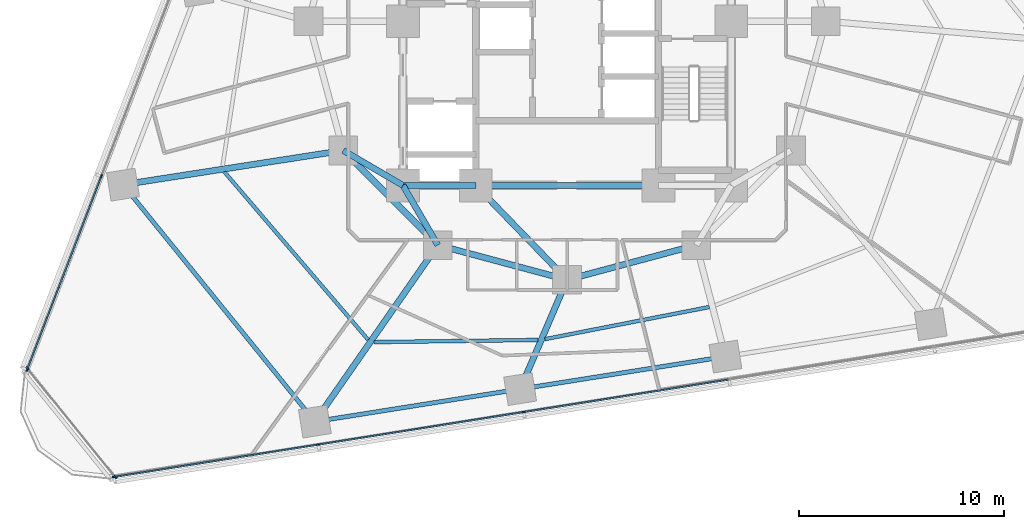
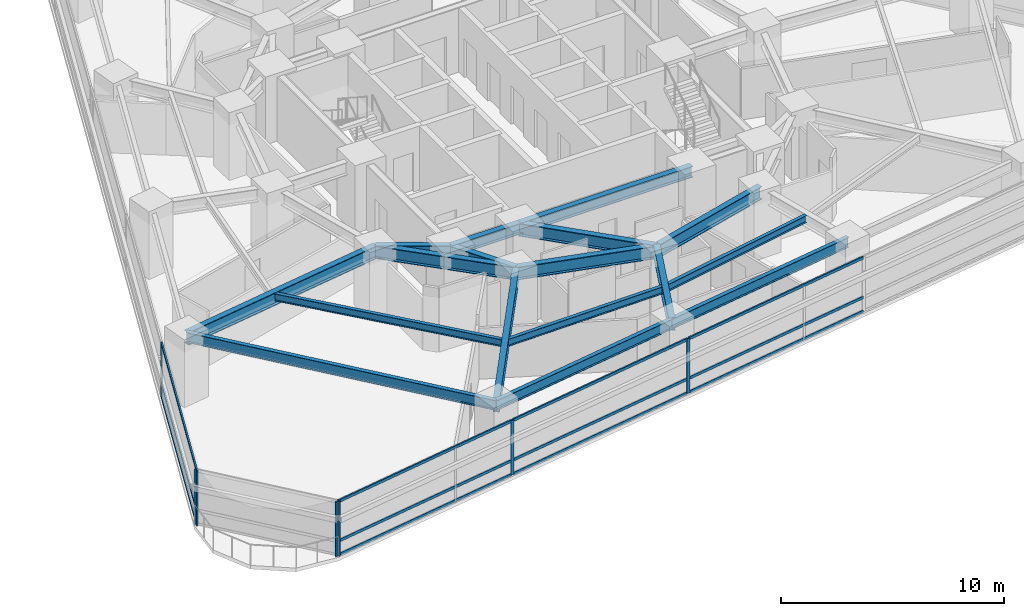
# One storey, part 2 of 13: 19 members, 17 beams, 3 elements without a shape of their own.
"""IFC4 building model written with IfcOpenShell, lengths in metres."""

from ifc_helpers import new_model, si_unit, direction, frame, origin, origin_2d, place, context, subcontext, project, spatial, rectangle, i_section, extrude, material, layer, layer_set, material_profile, profile_set, type_object, element, aggregate, save


model = new_model("IFC4")

# Units and contexts
model_context = context("Model", 3, precision=1e-05, world=origin(), true_north=direction((0.0, 1.0)))
body_context = subcontext(model_context, "Body", "Model", "MODEL_VIEW")
ifc_project = project(units=[si_unit("LENGTHUNIT", "METRE"), si_unit("AREAUNIT", "SQUARE_METRE"), si_unit("VOLUMEUNIT", "CUBIC_METRE"), si_unit("PLANEANGLEUNIT", "RADIAN"), si_unit("MASSUNIT", "GRAM", prefix="KILO")], contexts=[model_context])

# Site, building, storey
site_placement = place(None, origin())
site = spatial("IfcSite", under=ifc_project, at=site_placement, CompositionType="ELEMENT")
building_placement = place(site_placement, origin())
building = spatial("IfcBuilding", under=site, at=building_placement, Name="Terralouvre Media Tower", CompositionType="ELEMENT")
storey_placement = place(building_placement, frame((0.0, 0.0, 55.60009765625)))
storey = spatial("IfcBuildingStorey", under=building, at=storey_placement, Name="L13", CompositionType="ELEMENT", Elevation=55.60009765625)

# Beams
ifc_material_1 = material(Name="Structural steel S355J2", Category="steel")
ifc_material_profile_1 = material_profile(ifc_material_1, i_section(OverallWidth=0.179931640625, OverallDepth=0.39990234375, WebThickness=0.008544921875, FlangeThickness=0.013427734375, at=origin_2d()), Name="IPE 400")
ifc_profile_set_1 = profile_set([ifc_material_profile_1], Name="Structural steel S355J2")
beam_type_1 = type_object("IfcBeamType", Name="Composite Floor Joist J-IPE400 (IPE 400)", PredefinedType="JOIST", material=ifc_profile_set_1)
beam_1_placement = place(storey_placement, frame((-16.69921875, -7.3486328125, 3.2998046875), z_axis=(0.650576599138, -0.759440641955, 0.0), x_axis=(0.759440641955, 0.650576599138, 0.0)))
element("IfcBeam", 1, at=beam_1_placement, inside=storey, type_object=beam_type_1, Name="L13 Framing Beam JT-L13-01", PredefinedType="JOIST", context=body_context, shape_type="SweptSolid", body=[
    extrude(i_section(OverallWidth=0.179931640625, OverallDepth=0.39990234375, WebThickness=0.008544921875, FlangeThickness=0.013427734375, at=origin_2d()), origin(), (0.0, 0.0, 1.0), 10.766845703125),
])
beam_2_placement = place(storey_placement, frame((-9.41259765625, -15.63916015625, 3.2998046875), z_axis=(0.999910093881, 0.013409107136, 0.0), x_axis=(-0.013409107136, 0.999910093881, 0.0)))
element("IfcBeam", 2, at=beam_2_placement, inside=storey, type_object=beam_type_1, Name="L13 Framing Beam JT-L13-02", PredefinedType="JOIST", context=body_context, shape_type="SweptSolid", body=[
    extrude(i_section(OverallWidth=0.179931640625, OverallDepth=0.39990234375, WebThickness=0.008544921875, FlangeThickness=0.013427734375, at=origin_2d()), origin(), (0.0, 0.0, 1.0), 7.992919921875),
])
beam_3_placement = place(storey_placement, frame((-1.08203125, -15.495361328125, 3.2998046875), z_axis=(0.981397676367, 0.191985939127, 0.0), x_axis=(-0.191985939127, 0.981397676367, 0.0)))
element("IfcBeam", 3, at=beam_3_placement, inside=storey, type_object=beam_type_1, Name="L13 Framing Beam JT-L13-03", PredefinedType="JOIST", context=body_context, shape_type="SweptSolid", body=[
    extrude(i_section(OverallWidth=0.179931640625, OverallDepth=0.39990234375, WebThickness=0.008544921875, FlangeThickness=0.013427734375, at=origin_2d()), origin(), (0.0, 0.0, 1.0), 8.165283203125),
])

# Curtain wall, members
ifc_material_2 = material(Name="Low-iron laminated double glazing with solar-control coating", Category="glass")
ifc_layer_1 = layer(ifc_material_2, 0.1650390625, Name="Lower Media Tower Unitised Curtain Wall CW-02")
ifc_layer_set_1 = layer_set([ifc_layer_1], Name="Low-iron laminated double glazing with solar-control coating")
curtain_wall_type_1 = type_object("IfcCurtainWallType", Name="Lower Media Tower Unitised Curtain Wall CW-02", PredefinedType="NOTDEFINED", material=ifc_layer_set_1)
curtain_wall_1_placement = place(storey_placement, origin())
curtain_wall_1 = element("IfcCurtainWall", 4, at=curtain_wall_1_placement, inside=storey, type_object=curtain_wall_type_1, Name="L13 Facade Curtain Wall F0", PredefinedType="NOTDEFINED")
ifc_material_3 = material(Name="Anodised extruded aluminium 6063-T6", Category="aluminium")
ifc_material_profile_2 = material_profile(ifc_material_3, rectangle(XDim=0.074951171875, YDim=0.14990234375, at=origin_2d()), Name="ALU 75x150")
ifc_profile_set_2 = profile_set([ifc_material_profile_2], Name="Anodised extruded aluminium 6063-T6")
member_type_1 = type_object("IfcMemberType", Name="Curtain-Wall Horizontal Transom TR-150", PredefinedType="USERDEFINED", material=ifc_profile_set_2)
member_1_placement = place(storey_placement, frame((-22.04345703125, -22.2001953125, 0.037353515625), z_axis=(0.987689925264, 0.15642445951, 0.0), x_axis=(-0.15642445951, 0.987689925264, 0.0)))
member_1 = element("IfcMember", 5, at=member_1_placement, type_object=member_type_1, Name="CW-02 transom 1.1", ObjectType="TRANSOM", PredefinedType="USERDEFINED", context=body_context, shape_type="SweptSolid", body=[
    extrude(rectangle(XDim=0.074951171875, YDim=0.14990234375, at=origin_2d()), origin(), (0.0, 0.0, 1.0), 10.015380859375),
])
member_2_placement = place(storey_placement, frame((-22.04345703125, -22.2001953125, 0.7998046875), z_axis=(0.987689925264, 0.15642445951, 0.0), x_axis=(-0.15642445951, 0.987689925264, 0.0)))
member_2 = element("IfcMember", 6, at=member_2_placement, type_object=member_type_1, Name="CW-02 transom 1.2", ObjectType="TRANSOM", PredefinedType="USERDEFINED", context=body_context, shape_type="SweptSolid", body=[
    extrude(rectangle(XDim=0.074951171875, YDim=0.14990234375, at=origin_2d()), origin(), (0.0, 0.0, 1.0), 10.015380859375),
])
member_3_placement = place(storey_placement, frame((-22.04345703125, -22.2001953125, 2.96240234375), z_axis=(0.987689925264, 0.15642445951, 0.0), x_axis=(-0.15642445951, 0.987689925264, 0.0)))
member_3 = element("IfcMember", 7, at=member_3_placement, type_object=member_type_1, Name="CW-02 transom 1.3", ObjectType="TRANSOM", PredefinedType="USERDEFINED", context=body_context, shape_type="SweptSolid", body=[
    extrude(rectangle(XDim=0.074951171875, YDim=0.14990234375, at=origin_2d()), origin(), (0.0, 0.0, 1.0), 10.015380859375),
])
member_4_placement = place(storey_placement, frame((-12.0771484375, -20.62158203125, 0.037353515625), z_axis=(0.987690198625, 0.156422733448, 0.0), x_axis=(-0.156422733448, 0.987690198625, 0.0)))
member_4 = element("IfcMember", 8, at=member_4_placement, type_object=member_type_1, Name="CW-02 transom 2.1", ObjectType="TRANSOM", PredefinedType="USERDEFINED", context=body_context, shape_type="SweptSolid", body=[
    extrude(rectangle(XDim=0.074951171875, YDim=0.14990234375, at=origin_2d()), origin(), (0.0, 0.0, 1.0), 10.052978515625),
])
member_5_placement = place(storey_placement, frame((-12.0771484375, -20.62158203125, 0.7998046875), z_axis=(0.987690198625, 0.156422733448, 0.0), x_axis=(-0.156422733448, 0.987690198625, 0.0)))
member_5 = element("IfcMember", 9, at=member_5_placement, type_object=member_type_1, Name="CW-02 transom 2.2", ObjectType="TRANSOM", PredefinedType="USERDEFINED", context=body_context, shape_type="SweptSolid", body=[
    extrude(rectangle(XDim=0.074951171875, YDim=0.14990234375, at=origin_2d()), origin(), (0.0, 0.0, 1.0), 10.052978515625),
])
member_6_placement = place(storey_placement, frame((-12.0771484375, -20.62158203125, 2.96240234375), z_axis=(0.987690198625, 0.156422733448, 0.0), x_axis=(-0.156422733448, 0.987690198625, 0.0)))
member_6 = element("IfcMember", 10, at=member_6_placement, type_object=member_type_1, Name="CW-02 transom 2.3", ObjectType="TRANSOM", PredefinedType="USERDEFINED", context=body_context, shape_type="SweptSolid", body=[
    extrude(rectangle(XDim=0.074951171875, YDim=0.14990234375, at=origin_2d()), origin(), (0.0, 0.0, 1.0), 10.052978515625),
])
member_7_placement = place(storey_placement, frame((-2.073974609375, -19.037353515625, 0.037353515625), z_axis=(0.987686446318, 0.156446424568, 0.0), x_axis=(-0.156446424568, 0.987686446318, 0.0)))
member_7 = element("IfcMember", 11, at=member_7_placement, type_object=member_type_1, Name="CW-02 transom 3.1", ObjectType="TRANSOM", PredefinedType="USERDEFINED", context=body_context, shape_type="SweptSolid", body=[
    extrude(rectangle(XDim=0.074951171875, YDim=0.14990234375, at=origin_2d()), origin(), (0.0, 0.0, 1.0), 10.052978515625),
])
member_8_placement = place(storey_placement, frame((-2.073974609375, -19.037353515625, 0.7998046875), z_axis=(0.987686446318, 0.156446424568, 0.0), x_axis=(-0.156446424568, 0.987686446318, 0.0)))
member_8 = element("IfcMember", 12, at=member_8_placement, type_object=member_type_1, Name="CW-02 transom 3.2", ObjectType="TRANSOM", PredefinedType="USERDEFINED", context=body_context, shape_type="SweptSolid", body=[
    extrude(rectangle(XDim=0.074951171875, YDim=0.14990234375, at=origin_2d()), origin(), (0.0, 0.0, 1.0), 10.052978515625),
])
member_9_placement = place(storey_placement, frame((-2.073974609375, -19.037353515625, 2.96240234375), z_axis=(0.987686446318, 0.156446424568, 0.0), x_axis=(-0.156446424568, 0.987686446318, 0.0)))
member_9 = element("IfcMember", 13, at=member_9_placement, type_object=member_type_1, Name="CW-02 transom 3.3", ObjectType="TRANSOM", PredefinedType="USERDEFINED", context=body_context, shape_type="SweptSolid", body=[
    extrude(rectangle(XDim=0.074951171875, YDim=0.14990234375, at=origin_2d()), origin(), (0.0, 0.0, 1.0), 10.052978515625),
])

curtain_wall_2_placement = place(storey_placement, origin())
curtain_wall_2 = element("IfcCurtainWall", 14, at=curtain_wall_2_placement, inside=storey, type_object=curtain_wall_type_1, Name="L13 Facade Curtain Wall F2", PredefinedType="NOTDEFINED")
member_10_placement = place(storey_placement, frame((-22.708984375, -7.595947265625, 0.037353515625), z_axis=(-0.358363173116, -0.933582259983, 0.0), x_axis=(0.933582259983, -0.358363173116, 0.0)))
member_10 = element("IfcMember", 15, at=member_10_placement, type_object=member_type_1, Name="CW-02 transom 5.1", ObjectType="TRANSOM", PredefinedType="USERDEFINED", context=body_context, shape_type="SweptSolid", body=[
    extrude(rectangle(XDim=0.074951171875, YDim=0.14990234375, at=origin_2d()), origin(), (0.0, 0.0, 1.0), 10.015380859375),
])
member_11_placement = place(storey_placement, frame((-22.708984375, -7.595947265625, 0.7998046875), z_axis=(-0.358363173116, -0.933582259983, 0.0), x_axis=(0.933582259983, -0.358363173116, 0.0)))
member_11 = element("IfcMember", 16, at=member_11_placement, type_object=member_type_1, Name="CW-02 transom 5.2", ObjectType="TRANSOM", PredefinedType="USERDEFINED", context=body_context, shape_type="SweptSolid", body=[
    extrude(rectangle(XDim=0.074951171875, YDim=0.14990234375, at=origin_2d()), origin(), (0.0, 0.0, 1.0), 10.015380859375),
])
member_12_placement = place(storey_placement, frame((-22.708984375, -7.595947265625, 2.96240234375), z_axis=(-0.358363173116, -0.933582259983, 0.0), x_axis=(0.933582259983, -0.358363173116, 0.0)))
member_12 = element("IfcMember", 17, at=member_12_placement, type_object=member_type_1, Name="CW-02 transom 5.3", ObjectType="TRANSOM", PredefinedType="USERDEFINED", context=body_context, shape_type="SweptSolid", body=[
    extrude(rectangle(XDim=0.074951171875, YDim=0.14990234375, at=origin_2d()), origin(), (0.0, 0.0, 1.0), 10.015380859375),
])

# Member
ifc_material_4 = material(Name="Anodised extruded aluminium 6063-T6", Category="aluminium")
ifc_material_profile_3 = material_profile(ifc_material_4, rectangle(XDim=0.074951171875, YDim=0.179931640625, at=origin_2d()), Name="ALU 75x180")
ifc_profile_set_3 = profile_set([ifc_material_profile_3], Name="Anodised extruded aluminium 6063-T6")
member_type_2 = type_object("IfcMemberType", Name="Curtain-Wall Vertical Mullion ML-180", PredefinedType="MULLION", material=ifc_profile_set_3)
member_13_placement = place(storey_placement, frame((-22.08056640625, -22.2060546875, 0.0), z_axis=(0.0, 0.0, 1.0), x_axis=(-0.156434462903, 0.987688340934, 0.0)))
member_13 = element("IfcMember", 18, at=member_13_placement, type_object=member_type_2, Name="CW-02 mullion 1", PredefinedType="MULLION", context=body_context, shape_type="SweptSolid", body=[
    extrude(rectangle(XDim=0.074951171875, YDim=0.179931640625, at=origin_2d()), origin(), (0.0, 0.0, 1.0), 3.0),
])

member_14_placement = place(storey_placement, frame((-12.1142578125, -20.62744140625, 0.0), z_axis=(0.0, 0.0, 1.0), x_axis=(-0.156434462903, 0.987688340934, 0.0)))
member_14 = element("IfcMember", 19, at=member_14_placement, type_object=member_type_2, Name="CW-02 mullion 2", PredefinedType="MULLION", context=body_context, shape_type="SweptSolid", body=[
    extrude(rectangle(XDim=0.074951171875, YDim=0.179931640625, at=origin_2d()), origin(), (0.0, 0.0, 1.0), 3.0),
])

member_15_placement = place(storey_placement, frame((-2.111083984375, -19.043212890625, 0.0), z_axis=(0.0, 0.0, 1.0), x_axis=(-0.156434462903, 0.987688340934, 0.0)))
member_15 = element("IfcMember", 20, at=member_15_placement, type_object=member_type_2, Name="CW-02 mullion 3", PredefinedType="MULLION", context=body_context, shape_type="SweptSolid", body=[
    extrude(rectangle(XDim=0.074951171875, YDim=0.179931640625, at=origin_2d()), origin(), (0.0, 0.0, 1.0), 3.0),
])

aggregate(curtain_wall_1, [member_13, member_14, member_15, member_1, member_2, member_3, member_4, member_5, member_6, member_7, member_8, member_9])

member_16_placement = place(storey_placement, frame((-22.695556640625, -7.560791015625, 0.0), z_axis=(0.0, 0.0, 1.0), x_axis=(0.933580438988, -0.358367917006, 0.0)))
member_16 = element("IfcMember", 21, at=member_16_placement, type_object=member_type_2, Name="CW-02 mullion 5", PredefinedType="MULLION", context=body_context, shape_type="SweptSolid", body=[
    extrude(rectangle(XDim=0.074951171875, YDim=0.179931640625, at=origin_2d()), origin(), (0.0, 0.0, 1.0), 3.0),
])

member_17_placement = place(storey_placement, frame((-26.3115234375, -16.981201171875, 0.0), z_axis=(0.0, 0.0, 1.0), x_axis=(0.933580438988, -0.358367917006, 0.0)))
member_17 = element("IfcMember", 22, at=member_17_placement, type_object=member_type_2, Name="CW-02 mullion 6", PredefinedType="MULLION", context=body_context, shape_type="SweptSolid", body=[
    extrude(rectangle(XDim=0.074951171875, YDim=0.179931640625, at=origin_2d()), origin(), (0.0, 0.0, 1.0), 3.0),
])

aggregate(curtain_wall_2, [member_16, member_17, member_10, member_11, member_12])

# Curtain wall, members
ifc_material_5 = material(Name="Low-iron laminated double glazing with solar-control coating", Category="glass")
ifc_layer_2 = layer(ifc_material_5, 0.1650390625, Name="Rounded Wind-Corner Curved Glazing CW-04")
ifc_layer_set_2 = layer_set([ifc_layer_2], Name="Low-iron laminated double glazing with solar-control coating")
curtain_wall_type_2 = type_object("IfcCurtainWallType", Name="Rounded Wind-Corner Curved Glazing CW-04", PredefinedType="NOTDEFINED", material=ifc_layer_set_2)
curtain_wall_3_placement = place(storey_placement, origin())
curtain_wall_3 = element("IfcCurtainWall", 23, at=curtain_wall_3_placement, inside=storey, type_object=curtain_wall_type_2, Name="L13 Rounded Wind-Corner Curtain Wall C0", PredefinedType="NOTDEFINED")
member_18_placement = place(storey_placement, frame((-26.3046875, -16.9140625, 0.0), z_axis=(0.0, 0.0, 1.0), x_axis=(0.777146252262, 0.629320031936, 0.0)))
member_18 = element("IfcMember", 24, at=member_18_placement, type_object=member_type_2, Name="CW-04 mullion 1", PredefinedType="MULLION", context=body_context, shape_type="SweptSolid", body=[
    extrude(rectangle(XDim=0.074951171875, YDim=0.179931640625, at=origin_2d()), origin(), (0.0, 0.0, 1.0), 3.0),
])
member_19_placement = place(storey_placement, frame((-22.013671875, -22.213134765625, 0.0), z_axis=(0.0, 0.0, 1.0), x_axis=(0.777146252262, 0.629320031936, 0.0)))
member_19 = element("IfcMember", 25, at=member_19_placement, type_object=member_type_2, Name="CW-04 mullion 2", PredefinedType="MULLION", context=body_context, shape_type="SweptSolid", body=[
    extrude(rectangle(XDim=0.074951171875, YDim=0.179931640625, at=origin_2d()), origin(), (0.0, 0.0, 1.0), 3.0),
])
aggregate(curtain_wall_3, [member_18, member_19])

# Beams
ifc_material_6 = material(Name="Structural steel S355J2", Category="steel")
ifc_material_profile_4 = material_profile(ifc_material_6, i_section(OverallWidth=0.2099609375, OverallDepth=0.550048828125, WebThickness=0.010986328125, FlangeThickness=0.01708984375, at=origin_2d()), Name="IPE 550")
ifc_profile_set_4 = profile_set([ifc_material_profile_4], Name="Structural steel S355J2")
beam_type_2 = type_object("IfcBeamType", Name="Perimeter Spandrel Beam SPB-550 (IPE 550)", PredefinedType="SPANDREL", material=ifc_profile_set_4)
beam_4_placement = place(storey_placement, frame((-21.640625, -7.9658203125, 3.224853515625), z_axis=(0.629325386112, -0.777141916509, 0.0), x_axis=(0.777141916509, 0.629325386112, 0.0)))
element("IfcBeam", 26, at=beam_4_placement, inside=storey, type_object=beam_type_2, Name="L13 Framing Beam BM-L13-PR01", PredefinedType="SPANDREL", context=body_context, shape_type="SweptSolid", body=[
    extrude(i_section(OverallWidth=0.2099609375, OverallDepth=0.550048828125, WebThickness=0.010986328125, FlangeThickness=0.01708984375, at=origin_2d()), origin(), (0.0, 0.0, 1.0), 14.8564453125),
])
beam_5_placement = place(storey_placement, frame((-12.291015625, -19.511474609375, 3.224853515625), z_axis=(0.987686424887, 0.156446559869, 0.0), x_axis=(-0.156446559869, 0.987686424887, 0.0)))
element("IfcBeam", 27, at=beam_5_placement, inside=storey, type_object=beam_type_2, Name="L13 Framing Beam BM-L13-PR02", PredefinedType="SPANDREL", context=body_context, shape_type="SweptSolid", body=[
    extrude(i_section(OverallWidth=0.2099609375, OverallDepth=0.550048828125, WebThickness=0.010986328125, FlangeThickness=0.01708984375, at=origin_2d()), origin(), (0.0, 0.0, 1.0), 10.1279296875),
])
beam_6_placement = place(storey_placement, frame((-2.287841796875, -17.927001953125, 3.224853515625), z_axis=(0.987690739256, 0.15641931974, 0.0), x_axis=(-0.15641931974, 0.987690739256, 0.0)))
element("IfcBeam", 28, at=beam_6_placement, inside=storey, type_object=beam_type_2, Name="L13 Framing Beam BM-L13-PR03", PredefinedType="SPANDREL", context=body_context, shape_type="SweptSolid", body=[
    extrude(i_section(OverallWidth=0.2099609375, OverallDepth=0.550048828125, WebThickness=0.010986328125, FlangeThickness=0.01708984375, at=origin_2d()), origin(), (0.0, 0.0, 1.0), 10.128173828125),
])
ifc_material_7 = material(Name="Structural steel S460M", Category="steel")
ifc_material_profile_5 = material_profile(ifc_material_7, i_section(OverallWidth=0.300048828125, OverallDepth=0.60009765625, WebThickness=0.015380859375, FlangeThickness=0.030029296875, at=origin_2d()), Name="HEB 600")
ifc_profile_set_5 = profile_set([ifc_material_profile_5], Name="Structural steel S460M")
beam_type_3 = type_object("IfcBeamType", Name="Primary Floor Girder B-HEB600 (HEB 600)", PredefinedType="BEAM", material=ifc_profile_set_5)
beam_7_placement = place(storey_placement, frame((-8.0, -8.0, 3.199951171875), z_axis=(1.0, 0.0, 0.0), x_axis=(0.0, 1.0, 0.0)))
element("IfcBeam", 29, at=beam_7_placement, inside=storey, type_object=beam_type_3, Name="L13 Framing Beam BM-L13-CPR01", PredefinedType="BEAM", context=body_context, shape_type="SweptSolid", body=[
    extrude(i_section(OverallWidth=0.300048828125, OverallDepth=0.60009765625, WebThickness=0.015380859375, FlangeThickness=0.030029296875, at=origin_2d()), origin(), (0.0, 0.0, 1.0), 3.550048828125),
])
beam_8_placement = place(storey_placement, frame((-4.449951171875, -8.0, 3.199951171875), z_axis=(1.0, 0.0, 0.0), x_axis=(0.0, 1.0, 0.0)))
element("IfcBeam", 30, at=beam_8_placement, inside=storey, type_object=beam_type_3, Name="L13 Framing Beam BM-L13-CPR02", PredefinedType="BEAM", context=body_context, shape_type="SweptSolid", body=[
    extrude(i_section(OverallWidth=0.300048828125, OverallDepth=0.60009765625, WebThickness=0.015380859375, FlangeThickness=0.030029296875, at=origin_2d()), origin(), (0.0, 0.0, 1.0), 8.89990234375),
])
ifc_material_8 = material(Name="Structural steel S460M", Category="steel")
ifc_material_profile_6 = material_profile(ifc_material_8, i_section(OverallWidth=0.300048828125, OverallDepth=0.699951171875, WebThickness=0.01708984375, FlangeThickness=0.031982421875, at=origin_2d()), Name="HEB 700")
ifc_profile_set_6 = profile_set([ifc_material_profile_6], Name="Structural steel S460M")
beam_type_4 = type_object("IfcBeamType", Name="Primary Floor Girder B-HEB700 (HEB 700)", PredefinedType="BEAM", material=ifc_profile_set_6)
beam_9_placement = place(storey_placement, frame((-10.911865234375, -6.300048828125, 3.14990234375), z_axis=(0.707106781187, -0.707106781187, 0.0), x_axis=(0.707106781187, 0.707106781187, 0.0)))
element("IfcBeam", 31, at=beam_9_placement, inside=storey, type_object=beam_type_4, Name="L13 Framing Beam BM-L13-MR01", PredefinedType="BEAM", context=body_context, shape_type="SweptSolid", body=[
    extrude(i_section(OverallWidth=0.300048828125, OverallDepth=0.699951171875, WebThickness=0.01708984375, FlangeThickness=0.031982421875, at=origin_2d()), origin(), (0.0, 0.0, 1.0), 6.52197265625),
])
for number, where, z_axis, x_axis, name in (
    (32, (-6.300048828125, -10.911865234375, 3.14990234375), (0.965920481897, -0.258838989821, 0.0), (0.258838989821, 0.965920481897, 0.0), "L13 Framing Beam BM-L13-MR02"),
    (33, (0.0, -12.60009765625, 3.14990234375), (0.965920481897, 0.258838989821, 0.0), (-0.258838989821, 0.965920481897, 0.0), "L13 Framing Beam BM-L13-MR03"),
):
    element("IfcBeam", number, at=place(storey_placement, frame(where, z_axis=z_axis, x_axis=x_axis)), inside=storey, type_object=beam_type_4, Name=name, PredefinedType="BEAM", context=body_context, shape_type="SweptSolid", body=[
        extrude(i_section(OverallWidth=0.300048828125, OverallDepth=0.699951171875, WebThickness=0.01708984375, FlangeThickness=0.031982421875, at=origin_2d()), origin(), (0.0, 0.0, 1.0), 6.522216796875),
    ])
for number, where, z_axis, x_axis, name in (
    (34, (-8.0, -8.0, 3.14990234375), (-0.863602894532, 0.504172629717, 0.0), (-0.504172629717, -0.863602894532, 0.0), "L13 Framing Beam BM-L13-CM01"),
    (35, (-8.0, -8.0, 3.14990234375), (0.504172629717, -0.863602894532, 0.0), (0.863602894532, 0.504172629717, 0.0), "L13 Framing Beam BM-L13-CM02"),
):
    element("IfcBeam", number, at=place(storey_placement, frame(where, z_axis=z_axis, x_axis=x_axis)), inside=storey, type_object=beam_type_4, Name=name, PredefinedType="BEAM", context=body_context, shape_type="SweptSolid", body=[
        extrude(i_section(OverallWidth=0.300048828125, OverallDepth=0.699951171875, WebThickness=0.01708984375, FlangeThickness=0.031982421875, at=origin_2d()), origin(), (0.0, 0.0, 1.0), 3.371826171875),
    ])
beam_10_placement = place(storey_placement, frame((-4.449951171875, -8.0, 3.14990234375), z_axis=(0.695279715726, -0.718739255155, 0.0), x_axis=(0.718739255155, 0.695279715726, 0.0)))
element("IfcBeam", 36, at=beam_10_placement, inside=storey, type_object=beam_type_4, Name="L13 Framing Beam BM-L13-CM03", PredefinedType="BEAM", context=body_context, shape_type="SweptSolid", body=[
    extrude(i_section(OverallWidth=0.300048828125, OverallDepth=0.699951171875, WebThickness=0.01708984375, FlangeThickness=0.031982421875, at=origin_2d()), origin(), (0.0, 0.0, 1.0), 6.400146484375),
])
beam_11_placement = place(storey_placement, frame((-10.911865234375, -6.300048828125, 3.14990234375), z_axis=(-0.98816044694, -0.153424023881, 0.0), x_axis=(0.153424023881, -0.98816044694, 0.0)))
element("IfcBeam", 37, at=beam_11_placement, inside=storey, type_object=beam_type_4, Name="L13 Framing Beam BM-L13-RD01", PredefinedType="BEAM", context=body_context, shape_type="SweptSolid", body=[
    extrude(i_section(OverallWidth=0.300048828125, OverallDepth=0.699951171875, WebThickness=0.01708984375, FlangeThickness=0.031982421875, at=origin_2d()), origin(), (0.0, 0.0, 1.0), 10.857421875),
])
beam_12_placement = place(storey_placement, frame((-6.300048828125, -10.911865234375, 3.14990234375), z_axis=(-0.571619237268, -0.820519011105, 0.0), x_axis=(0.820519011105, -0.571619237268, 0.0)))
element("IfcBeam", 38, at=beam_12_placement, inside=storey, type_object=beam_type_4, Name="L13 Framing Beam BM-L13-RD02", PredefinedType="BEAM", context=body_context, shape_type="SweptSolid", body=[
    extrude(i_section(OverallWidth=0.300048828125, OverallDepth=0.699951171875, WebThickness=0.01708984375, FlangeThickness=0.031982421875, at=origin_2d()), origin(), (0.0, 0.0, 1.0), 10.480712890625),
])
beam_13_placement = place(storey_placement, frame((0.0, -12.60009765625, 3.14990234375), z_axis=(-0.394630726641, -0.918839806272, 0.0), x_axis=(0.918839806272, -0.394630726641, 0.0)))
element("IfcBeam", 39, at=beam_13_placement, inside=storey, type_object=beam_type_4, Name="L13 Framing Beam BM-L13-RD03", PredefinedType="BEAM", context=body_context, shape_type="SweptSolid", body=[
    extrude(i_section(OverallWidth=0.300048828125, OverallDepth=0.699951171875, WebThickness=0.01708984375, FlangeThickness=0.031982421875, at=origin_2d()), origin(), (0.0, 0.0, 1.0), 5.79736328125),
])

save(model, "model.ifc")
